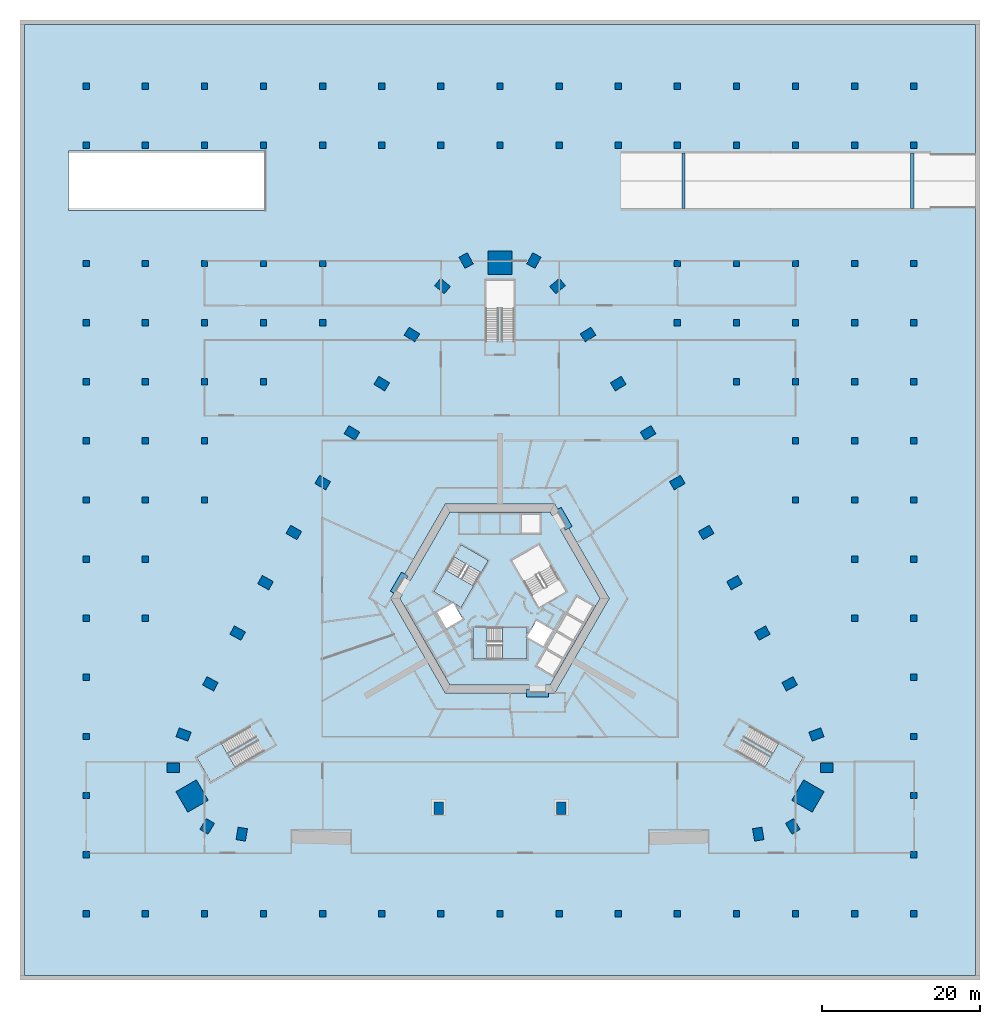
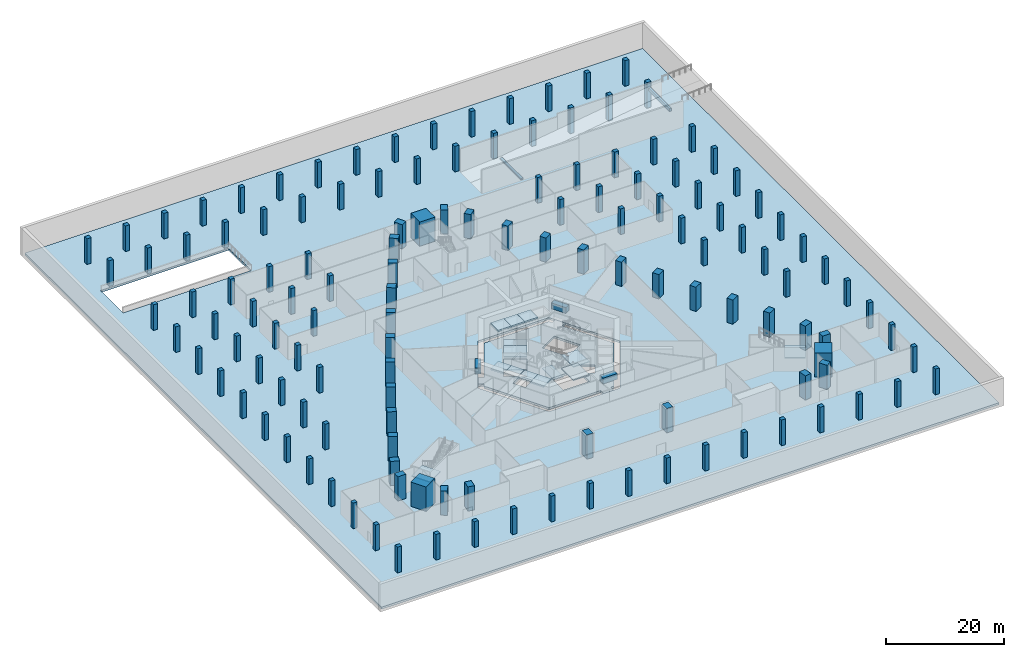
# One storey, part 1 of 20: 134 columns, 17 slabs, 5 beams, 4 elements without a shape of their own.
"""IFC4 building model written with IfcOpenShell, lengths in metres."""

from ifc_helpers import new_model, si_unit, direction, frame, origin, origin_2d, place, context, subcontext, project, spatial, polyline, rectangle, outline, extrude, material, layer, layer_set, material_profile, profile_set, type_object, element, aggregate, save


model = new_model("IFC4")

# Units and contexts
model_context = context("Model", 3, precision=1e-05, world=origin(), true_north=direction((0.0, 1.0)))
body_context = subcontext(model_context, "Body", "Model", "MODEL_VIEW")
ifc_project = project(units=[si_unit("LENGTHUNIT", "METRE"), si_unit("AREAUNIT", "SQUARE_METRE"), si_unit("VOLUMEUNIT", "CUBIC_METRE"), si_unit("PLANEANGLEUNIT", "RADIAN"), si_unit("MASSUNIT", "GRAM", prefix="KILO")], contexts=[model_context])

# Site, building, storey
site_placement = place(None, origin())
site = spatial("IfcSite", under=ifc_project, at=site_placement, CompositionType="ELEMENT")
building_placement = place(site_placement, origin())
building = spatial("IfcBuilding", under=site, at=building_placement, Name="Entoto Arch Interchange Tower", CompositionType="ELEMENT")
storey_placement = place(building_placement, frame((0.0, 0.0, -5.5)))
storey = spatial("IfcBuildingStorey", under=building, at=storey_placement, Name="B1", CompositionType="ELEMENT", Elevation=-5.5)

# Columns
ifc_material_1 = material(Name="Concrete C60/75", Category="concrete")
ifc_material_profile_1 = material_profile(ifc_material_1, rectangle(XDim=1.199951171875, YDim=1.60009765625, at=origin_2d()))
ifc_profile_set_1 = profile_set([ifc_material_profile_1], Name="Concrete C60/75")
column_type_1 = type_object("IfcColumnType", Name="Column RC 1200x1600 C60/75", PredefinedType="COLUMN", material=ifc_profile_set_1)
for number, where, z_axis, x_axis, name in (
    (1, (-32.760986328125, -27.39697265625, -0.419921875), (0.0, 0.0, 1.0), (-0.98600476771, 0.166717119856, 0.0), "Column S01 B1"),
    (2, (32.760986328125, -27.39697265625, -0.419921875), (0.0, 0.0, 1.0), (0.98600476771, 0.166717119856, 0.0), "Column S06 B1"),
    (3, (37.152099609375, -26.410888671875, -0.419921875), (0.0, 0.0, 1.0), (0.854522294989, 0.519414716163, 0.0), "Column SE1 B1"),
    (4, (41.447998046875, -18.968994140625, -0.419921875), (0.0, 0.0, 1.0), (0.022565191802, 0.999745373642, 0.0), "Column SE3 B1"),
    (5, (40.14697265625, -14.7509765625, -0.419921875), (0.0, 0.0, 1.0), (-0.348277574304, 0.937391450375, 0.0), "Column NE01 B1"),
    (6, (36.7529296875, -8.324951171875, -0.419921875), (0.0, 0.0, 1.0), (-0.46931745221, 0.883029517656, 0.0), "Column NE02 B1"),
    (7, (33.282958984375, -1.888916015625, -0.419921875), (0.0, 0.0, 1.0), (-0.478140110514, 0.878283573066, 0.0), "Column NE03 B1"),
    (8, (29.75, 4.511962890625, -0.419921875), (0.0, 0.0, 1.0), (-0.486914781103, 0.873449481048, 0.0), "Column NE04 B1"),
    (9, (26.155029296875, 10.8798828125, -0.419921875), (0.0, 0.0, 1.0), (-0.495655741916, 0.868519076074, 0.0), "Column NE05 B1"),
    (10, (22.5, 17.2109375, -0.419921875), (0.0, 0.0, 1.0), (-0.504331712594, 0.863510002068, 0.0), "Column NE06 B1"),
    (11, (18.781982421875, 23.508056640625, -0.419921875), (0.0, 0.0, 1.0), (-0.512972048958, 0.858405310438, 0.0), "Column NE07 B1"),
    (12, (15.0048828125, 29.76904296875, -0.419921875), (0.0, 0.0, 1.0), (-0.521545830745, 0.853223268806, 0.0), "Column NE08 B1"),
    (13, (11.1669921875, 35.992919921875, -0.419921875), (0.0, 0.0, 1.0), (-0.530067268476, 0.847955594881, 0.0), "Column NE09 B1"),
    (14, (7.299072265625, 42.14404296875, -0.419921875), (0.0, 0.0, 1.0), (-0.637666022163, 0.770312952103, 0.0), "Column NE10 B1"),
    (15, (4.297119140625, 45.3798828125, -0.419921875), (0.0, 0.0, 1.0), (-0.877079103306, 0.48034596547, 0.0), "Column N1 B1"),
    (16, (-4.297119140625, 45.3798828125, -0.419921875), (0.0, 0.0, 1.0), (0.877079103306, 0.48034596547, 0.0), "Column N3 B1"),
    (17, (-7.299072265625, 42.14404296875, -0.419921875), (0.0, 0.0, 1.0), (0.637666022163, 0.770312952103, 0.0), "Column NW01 B1"),
    (18, (-11.1669921875, 35.992919921875, -0.419921875), (0.0, 0.0, 1.0), (0.530067268476, 0.847955594881, 0.0), "Column NW02 B1"),
    (19, (-15.0048828125, 29.76904296875, -0.419921875), (0.0, 0.0, 1.0), (0.521545830745, 0.853223268806, 0.0), "Column NW03 B1"),
    (20, (-18.781982421875, 23.508056640625, -0.419921875), (0.0, 0.0, 1.0), (0.512972048958, 0.858405310438, 0.0), "Column NW04 B1"),
    (21, (-22.5, 17.2109375, -0.419921875), (0.0, 0.0, 1.0), (0.504331712594, 0.863510002068, 0.0), "Column NW05 B1"),
    (22, (-26.155029296875, 10.8798828125, -0.419921875), (0.0, 0.0, 1.0), (0.495655741916, 0.868519076074, 0.0), "Column NW06 B1"),
    (23, (-29.75, 4.511962890625, -0.419921875), (0.0, 0.0, 1.0), (0.486914781103, 0.873449481048, 0.0), "Column NW07 B1"),
    (24, (-33.282958984375, -1.888916015625, -0.419921875), (0.0, 0.0, 1.0), (0.478140110514, 0.878283573066, 0.0), "Column NW08 B1"),
    (25, (-36.7529296875, -8.324951171875, -0.419921875), (0.0, 0.0, 1.0), (0.46931745221, 0.883029517656, 0.0), "Column NW09 B1"),
    (26, (-40.14697265625, -14.7509765625, -0.419921875), (0.0, 0.0, 1.0), (0.348277574304, 0.937391450375, 0.0), "Column NW10 B1"),
    (27, (-41.447998046875, -18.968994140625, -0.419921875), (0.0, 0.0, 1.0), (-0.022565191802, 0.999745373642, 0.0), "Column SW1 B1"),
    (28, (-37.152099609375, -26.410888671875, -0.419921875), (0.0, 0.0, 1.0), (-0.854522294989, 0.519414716163, 0.0), "Column SW3 B1"),
    (29, (-7.800048828125, -24.10009765625, -0.419921875), (0.0, 0.0, 1.0), (1.0, 0.0, 0.0), "Column ARC-W B1"),
    (30, (7.800048828125, -24.10009765625, -0.419921875), (0.0, 0.0, 1.0), (1.0, 0.0, 0.0), "Column ARC-E B1"),
):
    element("IfcColumn", number, at=place(storey_placement, frame(where, z_axis=z_axis, x_axis=x_axis)), inside=storey, type_object=column_type_1, Name=name, PredefinedType="COLUMN", context=body_context, shape_type="SweptSolid", body=[
        extrude(rectangle(XDim=1.199951171875, YDim=1.60009765625, at=origin_2d()), origin(), (0.0, 0.0, 1.0), 5.419921875),
    ])
ifc_material_2 = material(Name="Concrete C40/50", Category="concrete")
ifc_material_profile_2 = material_profile(ifc_material_2, rectangle(XDim=0.800048828125, YDim=0.800048828125, at=origin_2d()))
ifc_profile_set_2 = profile_set([ifc_material_profile_2], Name="Concrete C40/50")
column_type_2 = type_object("IfcColumnType", Name="Column RC 800x800 C40/50", PredefinedType="COLUMN", material=ifc_profile_set_2)
for number, where, z_axis, x_axis, name in (
    (31, (-52.5, -37.5, -0.419921875), (0.0, 0.0, 1.0), (1.0, 0.0, 0.0), "Grid column -52.5 -37.5 B1"),
    (32, (-52.5, -30.0, -0.419921875), (0.0, 0.0, 1.0), (1.0, 0.0, 0.0), "Grid column -52.5 -30.0 B1"),
    (33, (-52.5, -22.5, -0.419921875), (0.0, 0.0, 1.0), (1.0, 0.0, 0.0), "Grid column -52.5 -22.5 B1"),
    (34, (-52.5, -15.0, -0.419921875), (0.0, 0.0, 1.0), (1.0, 0.0, 0.0), "Grid column -52.5 -15.0 B1"),
    (35, (-52.5, -7.5, -0.419921875), (0.0, 0.0, 1.0), (1.0, 0.0, 0.0), "Grid column -52.5 -7.5 B1"),
    (36, (-52.5, 0.0, -0.419921875), (0.0, 0.0, 1.0), (1.0, 0.0, 0.0), "Grid column -52.5 +0.0 B1"),
    (37, (-52.5, 7.5, -0.419921875), (0.0, 0.0, 1.0), (1.0, 0.0, 0.0), "Grid column -52.5 +7.5 B1"),
    (38, (-52.5, 15.0, -0.419921875), (0.0, 0.0, 1.0), (1.0, 0.0, 0.0), "Grid column -52.5 +15.0 B1"),
    (39, (-52.5, 22.5, -0.419921875), (0.0, 0.0, 1.0), (1.0, 0.0, 0.0), "Grid column -52.5 +22.5 B1"),
    (40, (-52.5, 30.0, -0.419921875), (0.0, 0.0, 1.0), (1.0, 0.0, 0.0), "Grid column -52.5 +30.0 B1"),
    (41, (-52.5, 37.5, -0.419921875), (0.0, 0.0, 1.0), (1.0, 0.0, 0.0), "Grid column -52.5 +37.5 B1"),
    (42, (-52.5, 45.0, -0.419921875), (0.0, 0.0, 1.0), (1.0, 0.0, 0.0), "Grid column -52.5 +45.0 B1"),
    (43, (-52.5, 60.0, -0.419921875), (0.0, 0.0, 1.0), (1.0, 0.0, 0.0), "Grid column -52.5 +60.0 B1"),
    (44, (-52.5, 67.5, -0.419921875), (0.0, 0.0, 1.0), (1.0, 0.0, 0.0), "Grid column -52.5 +67.5 B1"),
    (45, (-45.0, -37.5, -0.419921875), (0.0, 0.0, 1.0), (1.0, 0.0, 0.0), "Grid column -45.0 -37.5 B1"),
    (46, (-45.0, 0.0, -0.419921875), (0.0, 0.0, 1.0), (1.0, 0.0, 0.0), "Grid column -45.0 +0.0 B1"),
    (47, (-45.0, 7.5, -0.419921875), (0.0, 0.0, 1.0), (1.0, 0.0, 0.0), "Grid column -45.0 +7.5 B1"),
    (48, (-45.0, 15.0, -0.419921875), (0.0, 0.0, 1.0), (1.0, 0.0, 0.0), "Grid column -45.0 +15.0 B1"),
    (49, (-45.0, 22.5, -0.419921875), (0.0, 0.0, 1.0), (1.0, 0.0, 0.0), "Grid column -45.0 +22.5 B1"),
    (50, (-45.0, 30.0, -0.419921875), (0.0, 0.0, 1.0), (1.0, 0.0, 0.0), "Grid column -45.0 +30.0 B1"),
    (51, (-45.0, 37.5, -0.419921875), (0.0, 0.0, 1.0), (1.0, 0.0, 0.0), "Grid column -45.0 +37.5 B1"),
    (52, (-45.0, 45.0, -0.419921875), (0.0, 0.0, 1.0), (1.0, 0.0, 0.0), "Grid column -45.0 +45.0 B1"),
    (53, (-45.0, 60.0, -0.419921875), (0.0, 0.0, 1.0), (1.0, 0.0, 0.0), "Grid column -45.0 +60.0 B1"),
    (54, (-45.0, 67.5, -0.419921875), (0.0, 0.0, 1.0), (1.0, 0.0, 0.0), "Grid column -45.0 +67.5 B1"),
    (55, (-37.5, -37.5, -0.419921875), (0.0, 0.0, 1.0), (1.0, 0.0, 0.0), "Grid column -37.5 -37.5 B1"),
    (56, (-37.5, 15.0, -0.419921875), (0.0, 0.0, 1.0), (1.0, 0.0, 0.0), "Grid column -37.5 +15.0 B1"),
    (57, (-37.5, 22.5, -0.419921875), (0.0, 0.0, 1.0), (1.0, 0.0, 0.0), "Grid column -37.5 +22.5 B1"),
    (58, (-37.5, 30.0, -0.419921875), (0.0, 0.0, 1.0), (1.0, 0.0, 0.0), "Grid column -37.5 +30.0 B1"),
    (59, (-37.5, 37.5, -0.419921875), (0.0, 0.0, 1.0), (1.0, 0.0, 0.0), "Grid column -37.5 +37.5 B1"),
    (60, (-37.5, 45.0, -0.419921875), (0.0, 0.0, 1.0), (1.0, 0.0, 0.0), "Grid column -37.5 +45.0 B1"),
    (61, (-37.5, 60.0, -0.419921875), (0.0, 0.0, 1.0), (1.0, 0.0, 0.0), "Grid column -37.5 +60.0 B1"),
    (62, (-37.5, 67.5, -0.419921875), (0.0, 0.0, 1.0), (1.0, 0.0, 0.0), "Grid column -37.5 +67.5 B1"),
    (63, (-30.0, -37.5, -0.419921875), (0.0, 0.0, 1.0), (1.0, 0.0, 0.0), "Grid column -30.0 -37.5 B1"),
    (64, (-30.0, 30.0, -0.419921875), (0.0, 0.0, 1.0), (1.0, 0.0, 0.0), "Grid column -30.0 +30.0 B1"),
    (65, (-30.0, 37.5, -0.419921875), (0.0, 0.0, 1.0), (1.0, 0.0, 0.0), "Grid column -30.0 +37.5 B1"),
    (66, (-30.0, 45.0, -0.419921875), (0.0, 0.0, 1.0), (1.0, 0.0, 0.0), "Grid column -30.0 +45.0 B1"),
    (67, (-30.0, 60.0, -0.419921875), (0.0, 0.0, 1.0), (1.0, 0.0, 0.0), "Grid column -30.0 +60.0 B1"),
    (68, (-30.0, 67.5, -0.419921875), (0.0, 0.0, 1.0), (1.0, 0.0, 0.0), "Grid column -30.0 +67.5 B1"),
    (69, (-22.5, -37.5, -0.419921875), (0.0, 0.0, 1.0), (1.0, 0.0, 0.0), "Grid column -22.5 -37.5 B1"),
    (70, (-22.5, 37.5, -0.419921875), (0.0, 0.0, 1.0), (1.0, 0.0, 0.0), "Grid column -22.5 +37.5 B1"),
    (71, (-22.5, 45.0, -0.419921875), (0.0, 0.0, 1.0), (1.0, 0.0, 0.0), "Grid column -22.5 +45.0 B1"),
    (72, (-22.5, 60.0, -0.419921875), (0.0, 0.0, 1.0), (1.0, 0.0, 0.0), "Grid column -22.5 +60.0 B1"),
    (73, (-22.5, 67.5, -0.419921875), (0.0, 0.0, 1.0), (1.0, 0.0, 0.0), "Grid column -22.5 +67.5 B1"),
    (74, (-15.0, -37.5, -0.419921875), (0.0, 0.0, 1.0), (1.0, 0.0, 0.0), "Grid column -15.0 -37.5 B1"),
    (75, (-15.0, 60.0, -0.419921875), (0.0, 0.0, 1.0), (1.0, 0.0, 0.0), "Grid column -15.0 +60.0 B1"),
    (76, (-15.0, 67.5, -0.419921875), (0.0, 0.0, 1.0), (1.0, 0.0, 0.0), "Grid column -15.0 +67.5 B1"),
    (77, (-7.5, -37.5, -0.419921875), (0.0, 0.0, 1.0), (1.0, 0.0, 0.0), "Grid column -7.5 -37.5 B1"),
    (78, (-7.5, 60.0, -0.419921875), (0.0, 0.0, 1.0), (1.0, 0.0, 0.0), "Grid column -7.5 +60.0 B1"),
    (79, (-7.5, 67.5, -0.419921875), (0.0, 0.0, 1.0), (1.0, 0.0, 0.0), "Grid column -7.5 +67.5 B1"),
    (80, (0.0, -37.5, -0.419921875), (0.0, 0.0, 1.0), (1.0, 0.0, 0.0), "Grid column +0.0 -37.5 B1"),
    (81, (0.0, 60.0, -0.419921875), (0.0, 0.0, 1.0), (1.0, 0.0, 0.0), "Grid column +0.0 +60.0 B1"),
    (82, (0.0, 67.5, -0.419921875), (0.0, 0.0, 1.0), (1.0, 0.0, 0.0), "Grid column +0.0 +67.5 B1"),
    (83, (7.5, -37.5, -0.419921875), (0.0, 0.0, 1.0), (1.0, 0.0, 0.0), "Grid column +7.5 -37.5 B1"),
    (84, (7.5, 60.0, -0.419921875), (0.0, 0.0, 1.0), (1.0, 0.0, 0.0), "Grid column +7.5 +60.0 B1"),
    (85, (7.5, 67.5, -0.419921875), (0.0, 0.0, 1.0), (1.0, 0.0, 0.0), "Grid column +7.5 +67.5 B1"),
    (86, (15.0, -37.5, -0.419921875), (0.0, 0.0, 1.0), (1.0, 0.0, 0.0), "Grid column +15.0 -37.5 B1"),
    (87, (15.0, 60.0, -0.419921875), (0.0, 0.0, 1.0), (1.0, 0.0, 0.0), "Grid column +15.0 +60.0 B1"),
    (88, (15.0, 67.5, -0.419921875), (0.0, 0.0, 1.0), (1.0, 0.0, 0.0), "Grid column +15.0 +67.5 B1"),
    (89, (22.5, -37.5, -0.419921875), (0.0, 0.0, 1.0), (1.0, 0.0, 0.0), "Grid column +22.5 -37.5 B1"),
    (90, (22.5, 37.5, -0.419921875), (0.0, 0.0, 1.0), (1.0, 0.0, 0.0), "Grid column +22.5 +37.5 B1"),
    (91, (22.5, 45.0, -0.419921875), (0.0, 0.0, 1.0), (1.0, 0.0, 0.0), "Grid column +22.5 +45.0 B1"),
    (92, (22.5, 60.0, -0.419921875), (0.0, 0.0, 1.0), (1.0, 0.0, 0.0), "Grid column +22.5 +60.0 B1"),
    (93, (22.5, 67.5, -0.419921875), (0.0, 0.0, 1.0), (1.0, 0.0, 0.0), "Grid column +22.5 +67.5 B1"),
    (94, (30.0, -37.5, -0.419921875), (0.0, 0.0, 1.0), (1.0, 0.0, 0.0), "Grid column +30.0 -37.5 B1"),
    (95, (30.0, 30.0, -0.419921875), (0.0, 0.0, 1.0), (1.0, 0.0, 0.0), "Grid column +30.0 +30.0 B1"),
    (96, (30.0, 37.5, -0.419921875), (0.0, 0.0, 1.0), (1.0, 0.0, 0.0), "Grid column +30.0 +37.5 B1"),
    (97, (30.0, 45.0, -0.419921875), (0.0, 0.0, 1.0), (1.0, 0.0, 0.0), "Grid column +30.0 +45.0 B1"),
    (98, (30.0, 60.0, -0.419921875), (0.0, 0.0, 1.0), (1.0, 0.0, 0.0), "Grid column +30.0 +60.0 B1"),
    (99, (30.0, 67.5, -0.419921875), (0.0, 0.0, 1.0), (1.0, 0.0, 0.0), "Grid column +30.0 +67.5 B1"),
    (100, (37.5, -37.5, -0.419921875), (0.0, 0.0, 1.0), (1.0, 0.0, 0.0), "Grid column +37.5 -37.5 B1"),
    (101, (37.5, 15.0, -0.419921875), (0.0, 0.0, 1.0), (1.0, 0.0, 0.0), "Grid column +37.5 +15.0 B1"),
    (102, (37.5, 22.5, -0.419921875), (0.0, 0.0, 1.0), (1.0, 0.0, 0.0), "Grid column +37.5 +22.5 B1"),
    (103, (37.5, 30.0, -0.419921875), (0.0, 0.0, 1.0), (1.0, 0.0, 0.0), "Grid column +37.5 +30.0 B1"),
    (104, (37.5, 37.5, -0.419921875), (0.0, 0.0, 1.0), (1.0, 0.0, 0.0), "Grid column +37.5 +37.5 B1"),
    (105, (37.5, 45.0, -0.419921875), (0.0, 0.0, 1.0), (1.0, 0.0, 0.0), "Grid column +37.5 +45.0 B1"),
    (106, (37.5, 60.0, -0.419921875), (0.0, 0.0, 1.0), (1.0, 0.0, 0.0), "Grid column +37.5 +60.0 B1"),
    (107, (37.5, 67.5, -0.419921875), (0.0, 0.0, 1.0), (1.0, 0.0, 0.0), "Grid column +37.5 +67.5 B1"),
    (108, (45.0, -37.5, -0.419921875), (0.0, 0.0, 1.0), (1.0, 0.0, 0.0), "Grid column +45.0 -37.5 B1"),
    (109, (45.0, 0.0, -0.419921875), (0.0, 0.0, 1.0), (1.0, 0.0, 0.0), "Grid column +45.0 +0.0 B1"),
    (110, (45.0, 7.5, -0.419921875), (0.0, 0.0, 1.0), (1.0, 0.0, 0.0), "Grid column +45.0 +7.5 B1"),
    (111, (45.0, 15.0, -0.419921875), (0.0, 0.0, 1.0), (1.0, 0.0, 0.0), "Grid column +45.0 +15.0 B1"),
    (112, (45.0, 22.5, -0.419921875), (0.0, 0.0, 1.0), (1.0, 0.0, 0.0), "Grid column +45.0 +22.5 B1"),
    (113, (45.0, 30.0, -0.419921875), (0.0, 0.0, 1.0), (1.0, 0.0, 0.0), "Grid column +45.0 +30.0 B1"),
    (114, (45.0, 37.5, -0.419921875), (0.0, 0.0, 1.0), (1.0, 0.0, 0.0), "Grid column +45.0 +37.5 B1"),
    (115, (45.0, 45.0, -0.419921875), (0.0, 0.0, 1.0), (1.0, 0.0, 0.0), "Grid column +45.0 +45.0 B1"),
    (116, (45.0, 60.0, -0.419921875), (0.0, 0.0, 1.0), (1.0, 0.0, 0.0), "Grid column +45.0 +60.0 B1"),
    (117, (45.0, 67.5, -0.419921875), (0.0, 0.0, 1.0), (1.0, 0.0, 0.0), "Grid column +45.0 +67.5 B1"),
    (118, (52.5, -37.5, -0.419921875), (0.0, 0.0, 1.0), (1.0, 0.0, 0.0), "Grid column +52.5 -37.5 B1"),
    (119, (52.5, -30.0, -0.419921875), (0.0, 0.0, 1.0), (1.0, 0.0, 0.0), "Grid column +52.5 -30.0 B1"),
    (120, (52.5, -22.5, -0.419921875), (0.0, 0.0, 1.0), (1.0, 0.0, 0.0), "Grid column +52.5 -22.5 B1"),
    (121, (52.5, -15.0, -0.419921875), (0.0, 0.0, 1.0), (1.0, 0.0, 0.0), "Grid column +52.5 -15.0 B1"),
    (122, (52.5, -7.5, -0.419921875), (0.0, 0.0, 1.0), (1.0, 0.0, 0.0), "Grid column +52.5 -7.5 B1"),
    (123, (52.5, 0.0, -0.419921875), (0.0, 0.0, 1.0), (1.0, 0.0, 0.0), "Grid column +52.5 +0.0 B1"),
    (124, (52.5, 7.5, -0.419921875), (0.0, 0.0, 1.0), (1.0, 0.0, 0.0), "Grid column +52.5 +7.5 B1"),
    (125, (52.5, 15.0, -0.419921875), (0.0, 0.0, 1.0), (1.0, 0.0, 0.0), "Grid column +52.5 +15.0 B1"),
    (126, (52.5, 22.5, -0.419921875), (0.0, 0.0, 1.0), (1.0, 0.0, 0.0), "Grid column +52.5 +22.5 B1"),
    (127, (52.5, 30.0, -0.419921875), (0.0, 0.0, 1.0), (1.0, 0.0, 0.0), "Grid column +52.5 +30.0 B1"),
    (128, (52.5, 37.5, -0.419921875), (0.0, 0.0, 1.0), (1.0, 0.0, 0.0), "Grid column +52.5 +37.5 B1"),
    (129, (52.5, 45.0, -0.419921875), (0.0, 0.0, 1.0), (1.0, 0.0, 0.0), "Grid column +52.5 +45.0 B1"),
    (130, (52.5, 60.0, -0.419921875), (0.0, 0.0, 1.0), (1.0, 0.0, 0.0), "Grid column +52.5 +60.0 B1"),
    (131, (52.5, 67.5, -0.419921875), (0.0, 0.0, 1.0), (1.0, 0.0, 0.0), "Grid column +52.5 +67.5 B1"),
):
    element("IfcColumn", number, at=place(storey_placement, frame(where, z_axis=z_axis, x_axis=x_axis)), inside=storey, type_object=column_type_2, Name=name, PredefinedType="COLUMN", context=body_context, shape_type="SweptSolid", body=[
        extrude(rectangle(XDim=0.800048828125, YDim=0.800048828125, at=origin_2d()), origin(), (0.0, 0.0, 1.0), 5.719970703125),
    ])
ifc_material_profile_3 = material_profile(ifc_material_1, rectangle(XDim=3.0, YDim=3.0, at=origin_2d()))
ifc_profile_set_3 = profile_set([ifc_material_profile_3], Name="Concrete C60/75")
column_type_3 = type_object("IfcColumnType", Name="Mega column RC 3000x3000 C60/75", PredefinedType="COLUMN", material=ifc_profile_set_3)
for number, where, z_axis, x_axis, name in (
    (132, (39.069091796875, -22.555908203125, -0.419921875), (0.0, 0.0, 1.0), (-0.866025403784, 0.5, 0.0), "Corner mega column SE2 B1"),
    (133, (0.0, 45.112060546875, -0.419921875), (0.0, 0.0, 1.0), (0.0, 1.0, 0.0), "Corner mega column N2 B1"),
    (134, (-39.069091796875, -22.555908203125, -0.419921875), (0.0, 0.0, 1.0), (0.866025403784, 0.5, 0.0), "Corner mega column SW2 B1"),
):
    element("IfcColumn", number, at=place(storey_placement, frame(where, z_axis=z_axis, x_axis=x_axis)), inside=storey, type_object=column_type_3, Name=name, PredefinedType="COLUMN", context=body_context, shape_type="SweptSolid", body=[
        extrude(rectangle(XDim=3.0, YDim=3.0, at=origin_2d()), origin(), (0.0, 0.0, 1.0), 5.419921875),
    ])

# Beams
ifc_material_profile_4 = material_profile(ifc_material_2, rectangle(XDim=0.39990234375, YDim=0.2890625, at=origin_2d()))
ifc_profile_set_4 = profile_set([ifc_material_profile_4], Name="Concrete C40/50")
beam_type_1 = type_object("IfcBeamType", Name="Car ramp transverse beam RC 400x289 C40/50", PredefinedType="BEAM", material=ifc_profile_set_4)
beam_1_placement = place(storey_placement, frame((23.300048828125, 52.0, 0.14501953125), z_axis=(0.0, 1.0, 0.0), x_axis=(-1.0, 0.0, 0.0)))
element("IfcBeam", 135, at=beam_1_placement, inside=storey, type_object=beam_type_1, Name="Car ramp R1 transverse beam junction 2", PredefinedType="BEAM", context=body_context, shape_type="SweptSolid", body=[
    extrude(rectangle(XDim=0.39990234375, YDim=0.2890625, at=origin_2d()), origin(), (0.0, 0.0, 1.0), 7.0),
])
ifc_material_profile_5 = material_profile(ifc_material_2, rectangle(XDim=0.39990234375, YDim=0.60009765625, at=origin_2d()))
ifc_profile_set_5 = profile_set([ifc_material_profile_5], Name="Concrete C40/50")
beam_type_2 = type_object("IfcBeamType", Name="Car ramp transverse beam RC 400x600 C40/50", PredefinedType="BEAM", material=ifc_profile_set_5)
beam_2_placement = place(storey_placement, frame((52.300048828125, 52.0, 4.260986328125), z_axis=(0.0, 1.0, 0.0), x_axis=(-1.0, 0.0, 0.0)))
element("IfcBeam", 136, at=beam_2_placement, inside=storey, type_object=beam_type_2, Name="Car ramp R1 transverse beam junction 1", PredefinedType="BEAM", context=body_context, shape_type="SweptSolid", body=[
    extrude(rectangle(XDim=0.39990234375, YDim=0.60009765625, at=origin_2d()), origin(), (0.0, 0.0, 1.0), 7.0),
])
ifc_material_profile_6 = material_profile(ifc_material_1, rectangle(XDim=1.0, YDim=1.199951171875, at=origin_2d()))
ifc_profile_set_6 = profile_set([ifc_material_profile_6], Name="Concrete C60/75")
beam_type_3 = type_object("IfcBeamType", Name="Coupling beam RC 1000x1200 C60/75", PredefinedType="BEAM", material=ifc_profile_set_6)
for number, where, z_axis, x_axis, name in (
    (137, (8.717041015625, 11.402099609375, 3.0), (-0.500200581029, 0.865909567298, 0.0), (-0.865909567298, -0.500200581029, 0.0), "Coupling beam NE B1"),
    (138, (-12.06689453125, 5.597900390625, 3.0), (-0.500200581029, -0.865909567298, 0.0), (0.865909567298, -0.500200581029, 0.0), "Coupling beam NW B1"),
):
    element("IfcBeam", number, at=place(storey_placement, frame(where, z_axis=z_axis, x_axis=x_axis)), inside=storey, type_object=beam_type_3, Name=name, PredefinedType="BEAM", context=body_context, shape_type="SweptSolid", body=[
        extrude(rectangle(XDim=1.0, YDim=1.199951171875, at=origin_2d()), origin(), (0.0, 0.0, 1.0), 2.799072265625),
    ])
beam_3_placement = place(storey_placement, frame((3.35009765625, -9.5, 3.0), z_axis=(1.0, 0.0, 0.0), x_axis=(0.0, 1.0, 0.0)))
element("IfcBeam", 139, at=beam_3_placement, inside=storey, type_object=beam_type_3, Name="Coupling beam S B1", PredefinedType="BEAM", context=body_context, shape_type="SweptSolid", body=[
    extrude(rectangle(XDim=1.0, YDim=1.199951171875, at=origin_2d()), origin(), (0.0, 0.0, 1.0), 2.7998046875),
])

# Slab
ifc_layer_1 = layer(ifc_material_2, 0.449951171875)
ifc_layer_set_1 = layer_set([ifc_layer_1], Name="Concrete C40/50")
slab_type_1 = type_object("IfcSlabType", Name="Core floor slab 450 C40/50", PredefinedType="FLOOR", material=ifc_layer_set_1)
slab_1_placement = place(storey_placement, frame((0.0, 0.0, -0.449951171875)))
element("IfcSlab", 140, at=slab_1_placement, inside=storey, type_object=slab_type_1, Name="Core floor slab B1", PredefinedType="FLOOR", context=body_context, shape_type="SweptSolid", body=[
    extrude(outline(polyline([(5.75, -9.5), (3.75, -9.5), (3.75, -8.5), (-6.35107421875, -8.5), (-12.701904296875, 2.5), (-12.402099609375, 3.02001953125), (-13.26708984375, 3.52001953125), (-12.26708984375, 5.251953125), (-11.402099609375, 4.751953125), (-6.35107421875, 13.5), (6.35107421875, 13.5), (6.65087890625, 12.97998046875), (7.51708984375, 13.47998046875), (8.51708984375, 11.748046875), (7.65087890625, 11.248046875), (12.701904296875, 2.5), (6.35107421875, -8.5), (5.75, -8.5), (5.75, -9.5)]), holes=[polyline([(5.5048828125, -3.56494140625), (6.705078125, -1.487060546875), (4.626953125, -0.287109375), (3.449951171875, -2.324951171875), (3.449951171875, -1.199951171875), (-1.64990234375, -1.199951171875), (-1.64990234375, -5.199951171875), (3.449951171875, -5.199951171875), (3.449951171875, -2.3779296875), (5.5048828125, -3.56494140625)]), polyline([(-4.928955078125, 1.362060546875), (-2.37890625, 5.779052734375), (-5.843017578125, 7.779052734375), (-8.39306640625, 3.362060546875), (-5.949951171875, 1.951904296875), (-8.0048828125, 0.764892578125), (-6.804931640625, -1.31298828125), (-4.72705078125, -0.113037109375), (-5.904052734375, 1.925048828125), (-4.928955078125, 1.362060546875)]), polyline([(7.492919921875, 4.9208984375), (4.943115234375, 9.337890625), (1.47900390625, 7.337890625), (4.029052734375, 2.9208984375), (7.492919921875, 4.9208984375)])]), origin(), (0.0, 0.0, 1.0), 0.449951171875),
])

# Stair, slabs
stair_type_1 = type_object("IfcStairType", Name="EXIT STAIR RC 1800", PredefinedType="HALF_TURN_STAIR", material=ifc_material_2)
stair_1_placement = place(storey_placement, origin())
stair_1 = element("IfcStair", 141, at=stair_1_placement, inside=storey, type_object=stair_type_1, Name="B1 Exit stair S", PredefinedType="HALF_TURN_STAIR")
ifc_layer_2 = layer(ifc_material_2, 0.199951171875)
ifc_layer_set_2 = layer_set([ifc_layer_2], Name="Concrete C40/50")
slab_type_2 = type_object("IfcSlabType", Name="EXIT STAIR LANDING RC 200", PredefinedType="LANDING", material=ifc_layer_set_2)
slab_2_placement = place(storey_placement, frame((0.0, 0.0, 1.175048828125)))
slab_2 = element("IfcSlab", 142, at=slab_2_placement, type_object=slab_type_2, Name="ST-S landing 1", PredefinedType="LANDING", context=body_context, shape_type="SweptSolid", body=[
    extrude(outline(polyline([(0.31005859375, -5.199951171875), (3.449951171875, -5.199951171875), (3.449951171875, -1.199951171875), (0.31005859375, -1.199951171875), (0.31005859375, -5.199951171875)])), origin(), (0.0, 0.0, 1.0), 0.199951171875),
])
slab_3_placement = place(storey_placement, frame((0.0, 0.0, 2.550048828125)))
slab_3 = element("IfcSlab", 143, at=slab_3_placement, type_object=slab_type_2, Name="ST-S landing 2", PredefinedType="LANDING", context=body_context, shape_type="SweptSolid", body=[
    extrude(outline(polyline([(-3.449951171875, -5.199951171875), (-1.64990234375, -5.199951171875), (-1.64990234375, -1.199951171875), (-3.449951171875, -1.199951171875), (-3.449951171875, -5.199951171875)])), origin(), (0.0, 0.0, 1.0), 0.199951171875),
])
slab_4_placement = place(storey_placement, frame((0.0, 0.0, 3.925048828125)))
slab_4 = element("IfcSlab", 144, at=slab_4_placement, type_object=slab_type_2, Name="ST-S landing 3", PredefinedType="LANDING", context=body_context, shape_type="SweptSolid", body=[
    extrude(outline(polyline([(0.31005859375, -5.199951171875), (3.449951171875, -5.199951171875), (3.449951171875, -1.199951171875), (0.31005859375, -1.199951171875), (0.31005859375, -5.199951171875)])), origin(), (0.0, 0.0, 1.0), 0.199951171875),
])
aggregate(stair_1, [slab_2, slab_3, slab_4])

stair_2_placement = place(storey_placement, origin())
stair_2 = element("IfcStair", 145, at=stair_2_placement, inside=storey, type_object=stair_type_1, Name="B1 Exit stair NW", PredefinedType="HALF_TURN_STAIR")
slab_5_placement = place(storey_placement, frame((0.0, 0.0, 1.175048828125)))
slab_5 = element("IfcSlab", 146, at=slab_5_placement, type_object=slab_type_2, Name="ST-NW landing 1", PredefinedType="LANDING", context=body_context, shape_type="SweptSolid", body=[
    extrude(outline(polyline([(-6.823486328125, 6.08154296875), (-8.393310546875, 3.3623046875), (-4.92919921875, 1.3623046875), (-3.359375, 4.08154296875), (-6.823486328125, 6.08154296875)])), origin(), (0.0, 0.0, 1.0), 0.199951171875),
])
slab_6_placement = place(storey_placement, frame((0.0, 0.0, 2.550048828125)))
slab_6 = element("IfcSlab", 147, at=slab_6_placement, type_object=slab_type_2, Name="ST-NW landing 2", PredefinedType="LANDING", context=body_context, shape_type="SweptSolid", body=[
    extrude(outline(polyline([(-4.943359375, 9.337890625), (-5.843505859375, 7.779052734375), (-2.37939453125, 5.779052734375), (-1.479248046875, 7.337890625), (-4.943359375, 9.337890625)])), origin(), (0.0, 0.0, 1.0), 0.199951171875),
])
slab_7_placement = place(storey_placement, frame((0.0, 0.0, 3.925048828125)))
slab_7 = element("IfcSlab", 148, at=slab_7_placement, type_object=slab_type_2, Name="ST-NW landing 3", PredefinedType="LANDING", context=body_context, shape_type="SweptSolid", body=[
    extrude(outline(polyline([(-6.823486328125, 6.08154296875), (-8.393310546875, 3.3623046875), (-4.92919921875, 1.3623046875), (-3.359375, 4.08154296875), (-6.823486328125, 6.08154296875)])), origin(), (0.0, 0.0, 1.0), 0.199951171875),
])
aggregate(stair_2, [slab_5, slab_6, slab_7])

# Stair, slab
stair_type_2 = type_object("IfcStairType", Name="PODIUM EXIT STAIR RC 1600", PredefinedType="HALF_TURN_STAIR", material=ifc_material_2)
stair_3_placement = place(storey_placement, origin())
stair_3 = element("IfcStair", 149, at=stair_3_placement, inside=storey, type_object=stair_type_2, Name="B1 Podium exit stair south-west", PredefinedType="HALF_TURN_STAIR")
slab_8_placement = place(storey_placement, frame((0.0, 0.0, 2.550048828125)))
slab_8 = element("IfcSlab", 150, at=slab_8_placement, type_object=slab_type_2, Name="PST-SW landing 1", PredefinedType="LANDING", context=body_context, shape_type="SweptSolid", body=[
    extrude(outline(polyline([(-35.367919921875, -15.84130859375), (-38.485595703125, -17.64111328125), (-36.685546875, -20.7587890625), (-33.56787109375, -18.958984375), (-35.367919921875, -15.84130859375)])), origin(), (0.0, 0.0, 1.0), 0.199951171875),
])
aggregate(stair_3, [slab_8])

stair_4_placement = place(storey_placement, origin())
stair_4 = element("IfcStair", 151, at=stair_4_placement, inside=storey, type_object=stair_type_2, Name="B1 Podium exit stair south-east", PredefinedType="HALF_TURN_STAIR")
slab_9_placement = place(storey_placement, frame((0.0, 0.0, 2.550048828125)))
slab_9 = element("IfcSlab", 152, at=slab_9_placement, type_object=slab_type_2, Name="PST-SE landing 1", PredefinedType="LANDING", context=body_context, shape_type="SweptSolid", body=[
    extrude(outline(polyline([(33.56787109375, -18.958740234375), (36.685546875, -20.7587890625), (38.485595703125, -17.64111328125), (35.367919921875, -15.841064453125), (33.56787109375, -18.958740234375)])), origin(), (0.0, 0.0, 1.0), 0.199951171875),
])
aggregate(stair_4, [slab_9])

# Slabs
ifc_layer_3 = layer(ifc_material_2, 0.300048828125)
ifc_layer_set_3 = layer_set([ifc_layer_3], Name="Concrete C40/50")
slab_type_3 = type_object("IfcSlabType", Name="LIFT PIT SLAB 300", PredefinedType="BASESLAB", material=ifc_layer_set_3)
slab_10_placement = place(storey_placement, frame((0.0, 0.0, 3.60009765625)))
element("IfcSlab", 153, at=slab_10_placement, inside=storey, type_object=slab_type_3, Name="Lift pit slab LR2", PredefinedType="BASESLAB", context=body_context, shape_type="SweptSolid", body=[
    extrude(outline(polyline([(2.590087890625, 10.7099609375), (0.010009765625, 10.7099609375), (0.010009765625, 13.2900390625), (2.590087890625, 13.2900390625), (2.590087890625, 10.7099609375)])), origin(), (0.0, 0.0, 1.0), 0.2998046875),
])
slab_11_placement = place(storey_placement, frame((0.0, 0.0, 3.60009765625)))
element("IfcSlab", 154, at=slab_11_placement, inside=storey, type_object=slab_type_3, Name="Lift pit slab LR3", PredefinedType="BASESLAB", context=body_context, shape_type="SweptSolid", body=[
    extrude(outline(polyline([(-0.010009765625, 10.7099609375), (-2.590087890625, 10.7099609375), (-2.590087890625, 13.2900390625), (-0.010009765625, 13.2900390625), (-0.010009765625, 10.7099609375)])), origin(), (0.0, 0.0, 1.0), 0.2998046875),
])
slab_12_placement = place(storey_placement, frame((0.0, 0.0, 3.60009765625)))
element("IfcSlab", 155, at=slab_12_placement, inside=storey, type_object=slab_type_3, Name="Lift pit slab LR4", PredefinedType="BASESLAB", context=body_context, shape_type="SweptSolid", body=[
    extrude(outline(polyline([(-2.610107421875, 10.7099609375), (-5.18994140625, 10.7099609375), (-5.18994140625, 13.2900390625), (-2.610107421875, 13.2900390625), (-2.610107421875, 10.7099609375)])), origin(), (0.0, 0.0, 1.0), 0.2998046875),
])
slab_13_placement = place(storey_placement, frame((0.0, 0.0, 3.60009765625)))
element("IfcSlab", 156, at=slab_13_placement, inside=storey, type_object=slab_type_3, Name="Lift pit slab SH1", PredefinedType="BASESLAB", context=body_context, shape_type="SweptSolid", body=[
    extrude(outline(polyline([(-9.705078125, 2.889892578125), (-8.4150390625, 0.655029296875), (-10.64892578125, -0.635009765625), (-11.93896484375, 1.60009765625), (-9.705078125, 2.889892578125)])), origin(), (0.0, 0.0, 1.0), 0.2998046875),
])
slab_14_placement = place(storey_placement, frame((0.0, 0.0, 3.60009765625)))
element("IfcSlab", 157, at=slab_14_placement, inside=storey, type_object=slab_type_3, Name="Lift pit slab SH2", PredefinedType="BASESLAB", context=body_context, shape_type="SweptSolid", body=[
    extrude(outline(polyline([(-8.405029296875, 0.637939453125), (-7.114990234375, -1.595947265625), (-9.34912109375, -2.885986328125), (-10.638916015625, -0.652099609375), (-8.405029296875, 0.637939453125)])), origin(), (0.0, 0.0, 1.0), 0.2998046875),
])
slab_15_placement = place(storey_placement, frame((0.0, 0.0, 3.60009765625)))
element("IfcSlab", 158, at=slab_15_placement, inside=storey, type_object=slab_type_3, Name="Lift pit slab SH3", PredefinedType="BASESLAB", context=body_context, shape_type="SweptSolid", body=[
    extrude(outline(polyline([(-7.10498046875, -1.614013671875), (-5.81494140625, -3.847900390625), (-8.049072265625, -5.137939453125), (-9.339111328125, -2.904052734375), (-7.10498046875, -1.614013671875)])), origin(), (0.0, 0.0, 1.0), 0.2998046875),
])
slab_16_placement = place(storey_placement, frame((0.0, 0.0, 3.60009765625)))
element("IfcSlab", 159, at=slab_16_placement, inside=storey, type_object=slab_type_3, Name="Lift pit slab SH4", PredefinedType="BASESLAB", context=body_context, shape_type="SweptSolid", body=[
    extrude(outline(polyline([(-5.804931640625, -3.864990234375), (-4.514892578125, -6.10009765625), (-6.7490234375, -7.389892578125), (-8.0390625, -5.155029296875), (-5.804931640625, -3.864990234375)])), origin(), (0.0, 0.0, 1.0), 0.2998046875),
])
ifc_layer_4 = layer(ifc_material_2, 0.419921875)
ifc_layer_set_4 = layer_set([ifc_layer_4], Name="Concrete C40/50")
slab_type_4 = type_object("IfcSlabType", Name="Post-tensioned flat plate 420 C40/50", PredefinedType="FLOOR", material=ifc_layer_set_4)
slab_17_placement = place(storey_placement, frame((0.0, 0.0, -0.419921875)))
element("IfcSlab", 160, at=slab_17_placement, inside=storey, type_object=slab_type_4, Name="Floor slab B1", PredefinedType="FLOOR", context=body_context, shape_type="SweptSolid", body=[
    extrude(outline(polyline([(-60.300048828125, -45.300048828125), (60.300048828125, -45.300048828125), (60.300048828125, 75.300048828125), (-60.300048828125, 75.300048828125), (-60.300048828125, -45.300048828125)]), holes=[polyline([(-6.927978515625, 14.5), (-13.85595703125, 2.5), (-6.927978515625, -9.5), (6.927978515625, -9.5), (13.85595703125, 2.5), (6.927978515625, 14.5), (-6.927978515625, 14.5)]), polyline([(-29.75, 59.300048828125), (-54.75, 59.300048828125), (-54.75, 51.699951171875), (-29.75, 51.699951171875), (-29.75, 59.300048828125)])]), origin(), (0.0, 0.0, 1.0), 0.419921875),
])

save(model, "model.ifc")
